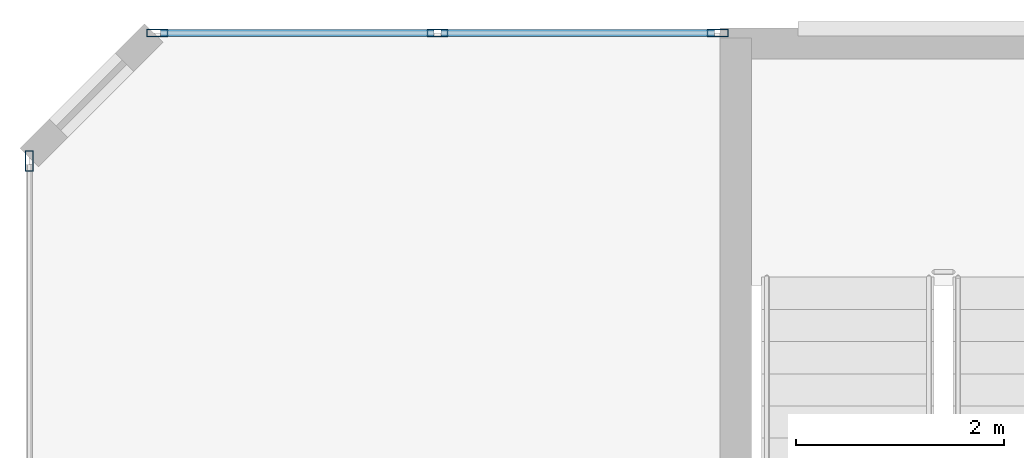
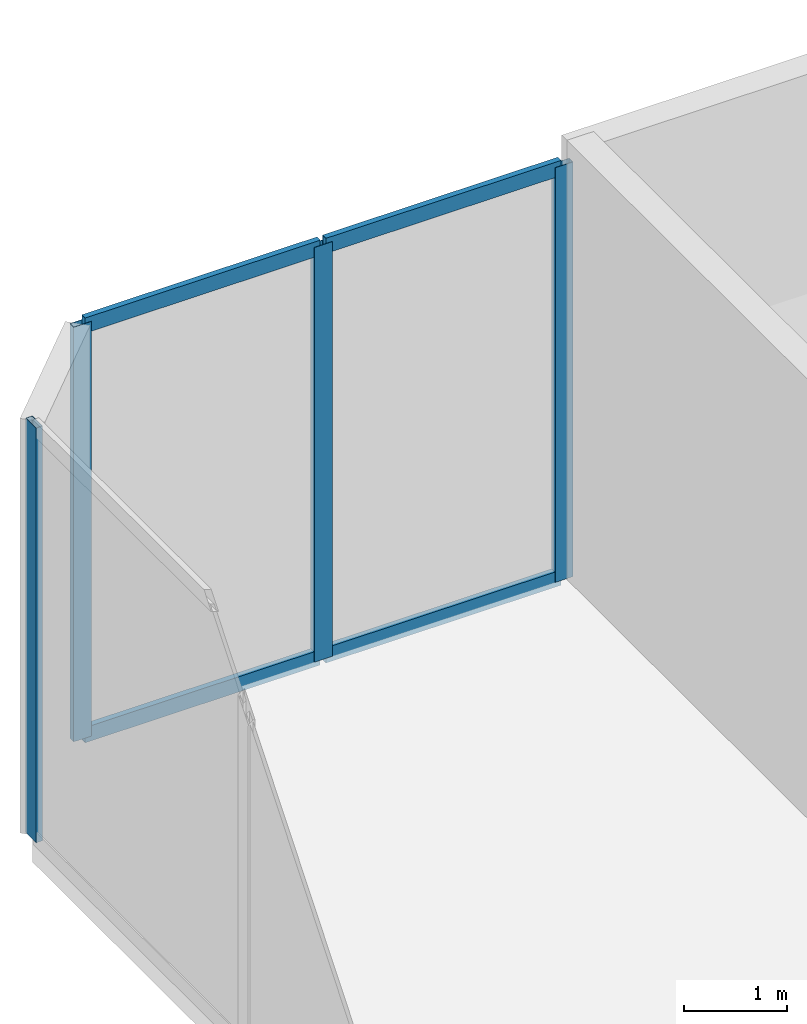
# One storey, part 6 of 10: 8 members, 2 elements without a shape of their own.
"""IFC4 building model written with IfcOpenShell, lengths in metres."""

from ifc_helpers import new_model, si_unit, direction, frame, origin, origin_2d, place, context, subcontext, project, spatial, hollow_rectangle, extrude, material, layer, layer_set, material_profile, profile_set, type_object, element, aggregate, save


model = new_model("IFC4")

# Units and contexts
model_context = context("Model", 3, precision=1e-05, world=origin(), true_north=direction((0.0, 1.0)))
body_context = subcontext(model_context, "Body", "Model", "MODEL_VIEW")
ifc_project = project(units=[si_unit("LENGTHUNIT", "METRE"), si_unit("AREAUNIT", "SQUARE_METRE"), si_unit("VOLUMEUNIT", "CUBIC_METRE"), si_unit("PLANEANGLEUNIT", "RADIAN"), si_unit("MASSUNIT", "GRAM", prefix="KILO")], contexts=[model_context])

# Site, building, storey
site_placement = place(None, origin())
site = spatial("IfcSite", under=ifc_project, at=site_placement, CompositionType="ELEMENT")
building_placement = place(site_placement, origin())
building = spatial("IfcBuilding", under=site, at=building_placement, Name="Catumbela Crestline Tower", CompositionType="ELEMENT")
storey_placement = place(building_placement, frame((0.0, 0.0, 295.8)))
storey = spatial("IfcBuildingStorey", under=building, at=storey_placement, Name="L76", CompositionType="ELEMENT", Elevation=295.8)

# Curtain wall, members
ifc_material = material(Name="Aluminium alloy AW-6060-T66", Category="aluminium")
ifc_layer = layer(ifc_material, 0.18, Name="Aluminium alloy AW-6060-T66")
ifc_layer_set = layer_set([ifc_layer], Name="Aluminium alloy AW-6060-T66")
curtain_wall_type = type_object("IfcCurtainWallType", Name="CWS-OBS", PredefinedType="USERDEFINED", material=ifc_layer_set)
curtain_wall_1_placement = place(storey_placement, origin())
curtain_wall_1 = element("IfcCurtainWall", 1, at=curtain_wall_1_placement, inside=storey, type_object=curtain_wall_type, Name="L76 Stick Curtain Wall CW-L76-E4S2", ObjectType="STICK", PredefinedType="USERDEFINED")
ifc_material_profile_1 = material_profile(ifc_material, hollow_rectangle(XDim=0.075, YDim=0.2, WallThickness=0.005, at=origin_2d()), Name="ALU 200x75x5")
ifc_profile_set_1 = profile_set([ifc_material_profile_1], Name="Aluminium alloy AW-6060-T66")
member_type_1 = type_object("IfcMemberType", Name="MUL-200X75", PredefinedType="MULLION", material=ifc_profile_set_1)
member_1_placement = place(storey_placement, frame((15.8275, 43.0, 0.0), z_axis=(0.0, 0.0, 1.0), x_axis=(0.0, -1.0, 0.0)))
member_1 = element("IfcMember", 2, at=member_1_placement, type_object=member_type_1, Name="CWS-OBS mullion 1", PredefinedType="MULLION", context=body_context, shape_type="SweptSolid", body=[
    extrude(hollow_rectangle(XDim=0.075, YDim=0.2, WallThickness=0.005, at=origin_2d()), origin(), (0.0, 0.0, 1.0), 4.91),
])
member_2_placement = place(storey_placement, frame((13.13, 43.0, 0.0), z_axis=(0.0, 0.0, 1.0), x_axis=(0.0, -1.0, 0.0)))
member_2 = element("IfcMember", 3, at=member_2_placement, type_object=member_type_1, Name="CWS-OBS mullion 2", PredefinedType="MULLION", context=body_context, shape_type="SweptSolid", body=[
    extrude(hollow_rectangle(XDim=0.075, YDim=0.2, WallThickness=0.005, at=origin_2d()), origin(), (0.0, 0.0, 1.0), 4.91),
])
member_3_placement = place(storey_placement, frame((10.4325, 43.0, 0.0), z_axis=(0.0, 0.0, 1.0), x_axis=(0.0, -1.0, 0.0)))
member_3 = element("IfcMember", 4, at=member_3_placement, type_object=member_type_1, Name="CWS-OBS mullion 3", PredefinedType="MULLION", context=body_context, shape_type="SweptSolid", body=[
    extrude(hollow_rectangle(XDim=0.075, YDim=0.2, WallThickness=0.005, at=origin_2d()), origin(), (0.0, 0.0, 1.0), 4.91),
])

# Curtain wall, member
curtain_wall_2_placement = place(storey_placement, origin())
curtain_wall_2 = element("IfcCurtainWall", 5, at=curtain_wall_2_placement, inside=storey, type_object=curtain_wall_type, Name="L76 Stick Curtain Wall CW-L76-E6S1", ObjectType="STICK", PredefinedType="USERDEFINED")
member_4_placement = place(storey_placement, frame((9.2, 41.7675, 0.0), z_axis=(0.0, 0.0, 1.0), x_axis=(1.0, 0.0, 0.0)))
member_4 = element("IfcMember", 6, at=member_4_placement, type_object=member_type_1, Name="CWS-OBS mullion 1", PredefinedType="MULLION", context=body_context, shape_type="SweptSolid", body=[
    extrude(hollow_rectangle(XDim=0.075, YDim=0.2, WallThickness=0.005, at=origin_2d()), origin(), (0.0, 0.0, 1.0), 4.91),
])
aggregate(curtain_wall_2, [member_4])

# Member
ifc_material_profile_2 = material_profile(ifc_material, hollow_rectangle(XDim=0.065, YDim=0.18, WallThickness=0.004, at=origin_2d()), Name="ALU 180x65x4")
ifc_profile_set_2 = profile_set([ifc_material_profile_2], Name="Aluminium alloy AW-6060-T66")
member_type_2 = type_object("IfcMemberType", Name="TRN-180X65", PredefinedType="USERDEFINED", material=ifc_profile_set_2)
member_5_placement = place(storey_placement, frame((15.795, 43.0, 0.03), z_axis=(-1.0, 0.0, 0.0), x_axis=(0.0, -1.0, 0.0)))
member_5 = element("IfcMember", 7, at=member_5_placement, type_object=member_type_2, Name="CWS-OBS transom 1.1", ObjectType="TRANSOM", PredefinedType="USERDEFINED", context=body_context, shape_type="SweptSolid", body=[
    extrude(hollow_rectangle(XDim=0.065, YDim=0.18, WallThickness=0.004, at=origin_2d()), origin(), (0.0, 0.0, 1.0), 2.6325),
])

member_6_placement = place(storey_placement, frame((15.795, 43.0, 4.88), z_axis=(-1.0, 0.0, 0.0), x_axis=(0.0, -1.0, 0.0)))
member_6 = element("IfcMember", 8, at=member_6_placement, type_object=member_type_2, Name="CWS-OBS transom 1.2", ObjectType="TRANSOM", PredefinedType="USERDEFINED", context=body_context, shape_type="SweptSolid", body=[
    extrude(hollow_rectangle(XDim=0.065, YDim=0.18, WallThickness=0.004, at=origin_2d()), origin(), (0.0, 0.0, 1.0), 2.6325),
])

member_7_placement = place(storey_placement, frame((13.0975, 43.0, 0.03), z_axis=(-1.0, 0.0, 0.0), x_axis=(0.0, -1.0, 0.0)))
member_7 = element("IfcMember", 9, at=member_7_placement, type_object=member_type_2, Name="CWS-OBS transom 2.1", ObjectType="TRANSOM", PredefinedType="USERDEFINED", context=body_context, shape_type="SweptSolid", body=[
    extrude(hollow_rectangle(XDim=0.065, YDim=0.18, WallThickness=0.004, at=origin_2d()), origin(), (0.0, 0.0, 1.0), 2.6325),
])

member_8_placement = place(storey_placement, frame((13.0975, 43.0, 4.88), z_axis=(-1.0, 0.0, 0.0), x_axis=(0.0, -1.0, 0.0)))
member_8 = element("IfcMember", 10, at=member_8_placement, type_object=member_type_2, Name="CWS-OBS transom 2.2", ObjectType="TRANSOM", PredefinedType="USERDEFINED", context=body_context, shape_type="SweptSolid", body=[
    extrude(hollow_rectangle(XDim=0.065, YDim=0.18, WallThickness=0.004, at=origin_2d()), origin(), (0.0, 0.0, 1.0), 2.6325),
])

aggregate(curtain_wall_1, [member_1, member_2, member_3, member_5, member_6, member_7, member_8])

save(model, "model.ifc")
